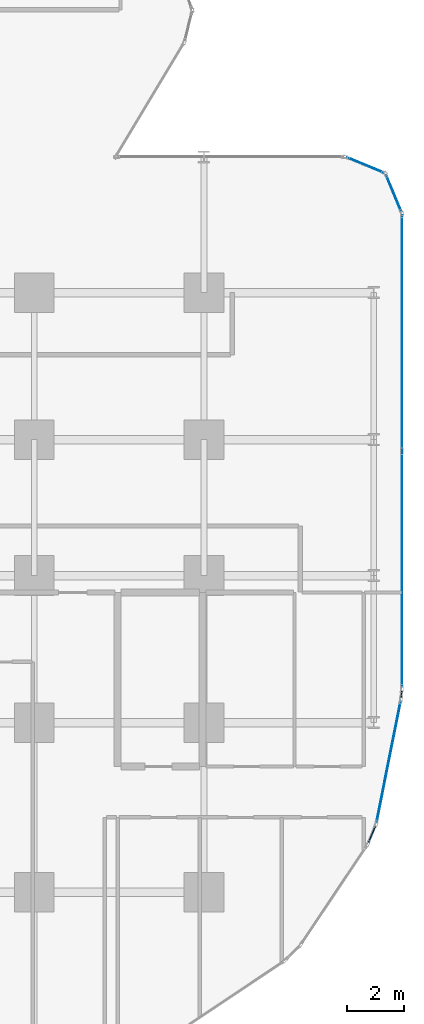
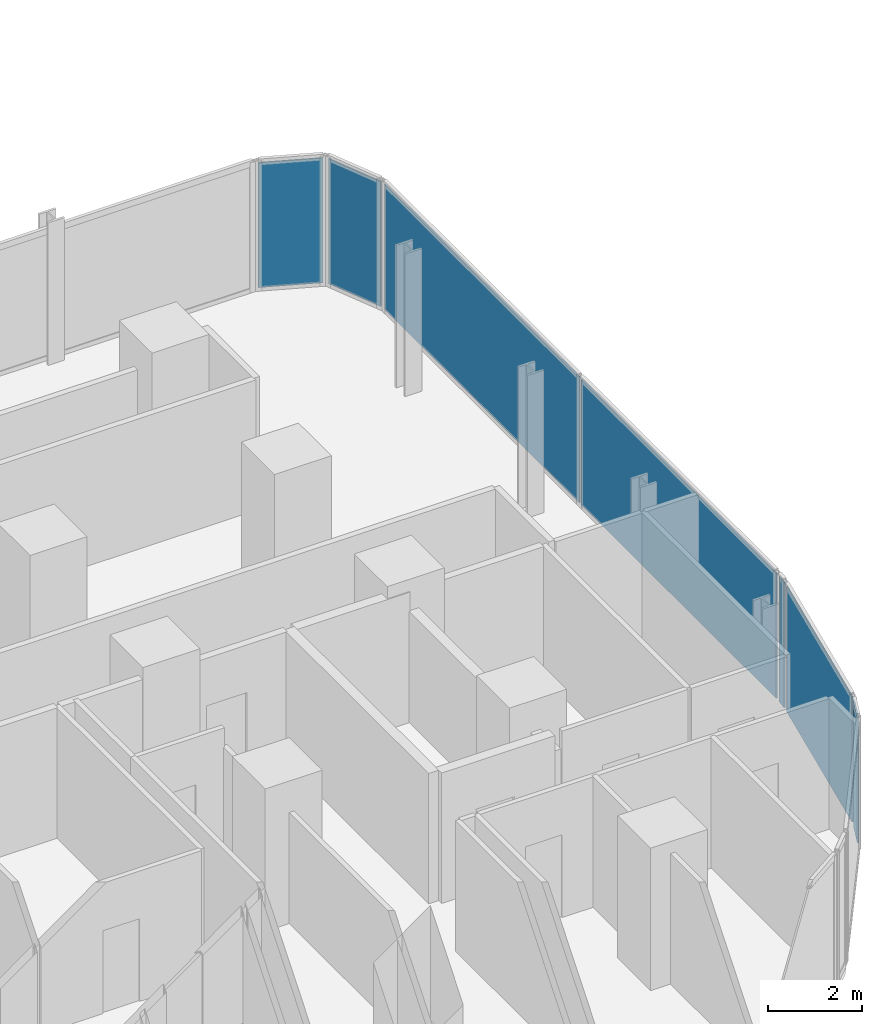
# One storey, part 25 of 33: 7 plates, 6 elements without a shape of their own.
"""IFC4 building model written with IfcOpenShell, lengths in metres."""

from ifc_helpers import new_model, si_unit, direction, frame, origin, origin_2d, place, context, subcontext, project, spatial, rectangle, extrude, material, layer, layer_set, type_object, element, aggregate, save


model = new_model("IFC4")

# Units and contexts
model_context = context("Model", 3, precision=1e-05, world=origin(), true_north=direction((0.0, 1.0)))
body_context = subcontext(model_context, "Body", "Model", "MODEL_VIEW")
ifc_project = project(units=[si_unit("LENGTHUNIT", "METRE"), si_unit("AREAUNIT", "SQUARE_METRE"), si_unit("VOLUMEUNIT", "CUBIC_METRE"), si_unit("PLANEANGLEUNIT", "RADIAN"), si_unit("MASSUNIT", "GRAM", prefix="KILO")], contexts=[model_context])

# Site, building, storey
site_placement = place(None, origin())
site = spatial("IfcSite", under=ifc_project, at=site_placement, CompositionType="ELEMENT")
building_placement = place(site_placement, origin())
building = spatial("IfcBuilding", under=site, at=building_placement, Name="Keshet Zoharim Tower", CompositionType="ELEMENT")
storey_placement = place(building_placement, frame((0.0, 0.0, 35.10009765625)))
storey = spatial("IfcBuildingStorey", under=building, at=storey_placement, Name="L07", CompositionType="ELEMENT", Elevation=35.10009765625)

# Curtain wall, plate
ifc_material_1 = material(Name="Aluminium 6063-T6", Category="aluminium")
ifc_layer_1 = layer(ifc_material_1, 0.179931640625)
ifc_layer_set_1 = layer_set([ifc_layer_1], Name="Aluminium 6063-T6")
curtain_wall_type_1 = type_object("IfcCurtainWallType", Name="CW-SYS-01", PredefinedType="NOTDEFINED", material=ifc_layer_set_1)
curtain_wall_1_placement = place(storey_placement, origin())
curtain_wall_1 = element("IfcCurtainWall", 1, at=curtain_wall_1_placement, inside=storey, type_object=curtain_wall_type_1, Name="L07 Unitised Curtain Wall 19", PredefinedType="NOTDEFINED")
ifc_material_2 = material(Name="Insulated Low-E Clear Glass", Category="glass")
ifc_layer_2 = layer(ifc_material_2, 0.035888671875)
ifc_layer_set_2 = layer_set([ifc_layer_2], Name="Insulated Low-E Clear Glass")
plate_type_1 = type_object("IfcPlateType", Name="CWP-01", PredefinedType="CURTAIN_PANEL", material=ifc_layer_set_2)
plate_1_placement = place(storey_placement, frame((68.9384765625, 8.75439453125, 0.06982421875), z_axis=(0.0, 0.0, 1.0), x_axis=(-0.383068349739, -0.923720000557, 0.0)))
plate_1 = element("IfcPlate", 2, at=plate_1_placement, type_object=plate_type_1, Name="CW-01 panel 1.1", PredefinedType="CURTAIN_PANEL", context=body_context, shape_type="SweptSolid", body=[
    extrude(rectangle(XDim=0.640625, YDim=0.035888671875, at=origin_2d()), origin(), (0.0, 0.0, 1.0), 3.2451171875),
])
aggregate(curtain_wall_1, [plate_1])

ifc_layer_3 = layer(ifc_material_1, 0.169921875)
ifc_layer_set_3 = layer_set([ifc_layer_3], Name="Aluminium 6063-T6")
curtain_wall_type_2 = type_object("IfcCurtainWallType", Name="CW-SYS-02", PredefinedType="NOTDEFINED", material=ifc_layer_set_3)
curtain_wall_2_placement = place(storey_placement, origin())
curtain_wall_2 = element("IfcCurtainWall", 3, at=curtain_wall_2_placement, inside=storey, type_object=curtain_wall_type_2, Name="L07 Unitised Curtain Wall 14", PredefinedType="NOTDEFINED")
ifc_layer_4 = layer(ifc_material_2, 0.031982421875)
ifc_layer_set_4 = layer_set([ifc_layer_4], Name="Insulated Low-E Clear Glass")
plate_type_2 = type_object("IfcPlateType", Name="CWP-02", PredefinedType="CURTAIN_PANEL", material=ifc_layer_set_4)
plate_2_placement = place(storey_placement, frame((68.70703125, 32.406982421875, 0.06982421875), z_axis=(0.0, 0.0, 1.0), x_axis=(0.92380975372, -0.382851849847, 0.0)))
plate_2 = element("IfcPlate", 4, at=plate_2_placement, type_object=plate_type_2, Name="CW-02 panel 1.1", PredefinedType="CURTAIN_PANEL", context=body_context, shape_type="SweptSolid", body=[
    extrude(rectangle(XDim=1.390625, YDim=0.031982421875, at=origin_2d()), origin(), (0.0, 0.0, 1.0), 3.2451171875),
])
aggregate(curtain_wall_2, [plate_2])

curtain_wall_3_placement = place(storey_placement, origin())
curtain_wall_3 = element("IfcCurtainWall", 5, at=curtain_wall_3_placement, inside=storey, type_object=curtain_wall_type_2, Name="L07 Unitised Curtain Wall 15", PredefinedType="NOTDEFINED")
plate_3_placement = place(storey_placement, frame((69.70703125, 31.406982421875, 0.06982421875), z_axis=(0.0, 0.0, 1.0), x_axis=(0.382851849847, -0.92380975372, 0.0)))
plate_3 = element("IfcPlate", 6, at=plate_3_placement, type_object=plate_type_2, Name="CW-02 panel 1.1", PredefinedType="CURTAIN_PANEL", context=body_context, shape_type="SweptSolid", body=[
    extrude(rectangle(XDim=1.390625, YDim=0.031982421875, at=origin_2d()), origin(), (0.0, 0.0, 1.0), 3.2451171875),
])
aggregate(curtain_wall_3, [plate_3])

# Curtain wall, plates
curtain_wall_4_placement = place(storey_placement, origin())
curtain_wall_4 = element("IfcCurtainWall", 7, at=curtain_wall_4_placement, inside=storey, type_object=curtain_wall_type_2, Name="L07 Unitised Curtain Wall 16", PredefinedType="NOTDEFINED")
plate_4_placement = place(storey_placement, frame((70.0, 26.481689453125, 0.06982421875), z_axis=(0.0, 0.0, 1.0), x_axis=(0.0, -1.0, 0.0)))
plate_4 = element("IfcPlate", 8, at=plate_4_placement, type_object=plate_type_2, Name="CW-02 panel 1.1", PredefinedType="CURTAIN_PANEL", context=body_context, shape_type="SweptSolid", body=[
    extrude(rectangle(XDim=8.29638671875, YDim=0.031982421875, at=origin_2d()), origin(), (0.0, 0.0, 1.0), 3.2451171875),
])
plate_5_placement = place(storey_placement, frame((70.0, 18.115234375, 0.06982421875), z_axis=(0.0, 0.0, 1.0), x_axis=(0.0, -1.0, 0.0)))
plate_5 = element("IfcPlate", 9, at=plate_5_placement, type_object=plate_type_2, Name="CW-02 panel 2.1", PredefinedType="CURTAIN_PANEL", context=body_context, shape_type="SweptSolid", body=[
    extrude(rectangle(XDim=8.29638671875, YDim=0.031982421875, at=origin_2d()), origin(), (0.0, 0.0, 1.0), 3.2451171875),
])
aggregate(curtain_wall_4, [plate_4, plate_5])

# Curtain wall, plate
curtain_wall_5_placement = place(storey_placement, origin())
curtain_wall_5 = element("IfcCurtainWall", 10, at=curtain_wall_5_placement, inside=storey, type_object=curtain_wall_type_2, Name="L07 Unitised Curtain Wall 17", PredefinedType="NOTDEFINED")
plate_6_placement = place(storey_placement, frame((69.98095703125, 13.701904296875, 0.06982421875), z_axis=(0.0, 0.0, 1.0), x_axis=(-0.096976648633, -0.995286657009, 0.0)))
plate_6 = element("IfcPlate", 11, at=plate_6_placement, type_object=plate_type_2, Name="CW-02 panel 1.1", PredefinedType="CURTAIN_PANEL", context=body_context, shape_type="SweptSolid", body=[
    extrude(rectangle(XDim=0.251953125, YDim=0.031982421875, at=origin_2d()), origin(), (0.0, 0.0, 1.0), 3.2451171875),
])
aggregate(curtain_wall_5, [plate_6])

curtain_wall_6_placement = place(storey_placement, origin())
curtain_wall_6 = element("IfcCurtainWall", 12, at=curtain_wall_6_placement, inside=storey, type_object=curtain_wall_type_2, Name="L07 Unitised Curtain Wall 18", PredefinedType="NOTDEFINED")
plate_7_placement = place(storey_placement, frame((69.52490234375, 11.31103515625, 0.06982421875), z_axis=(0.0, 0.0, 1.0), x_axis=(-0.195171279072, -0.98076917357, 0.0)))
plate_7 = element("IfcPlate", 13, at=plate_7_placement, type_object=plate_type_2, Name="CW-02 panel 1.1", PredefinedType="CURTAIN_PANEL", context=body_context, shape_type="SweptSolid", body=[
    extrude(rectangle(XDim=4.338134765625, YDim=0.031982421875, at=origin_2d()), origin(), (0.0, 0.0, 1.0), 3.2451171875),
])
aggregate(curtain_wall_6, [plate_7])

save(model, "model.ifc")
